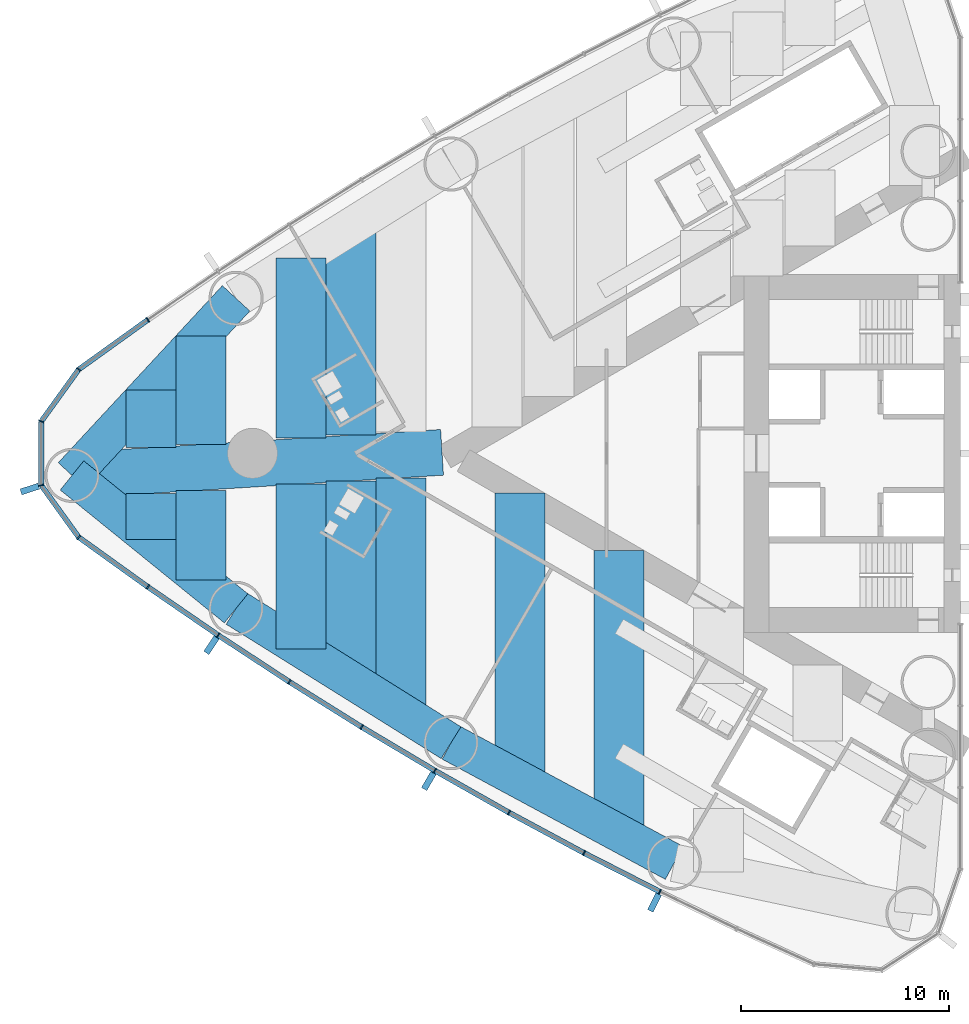
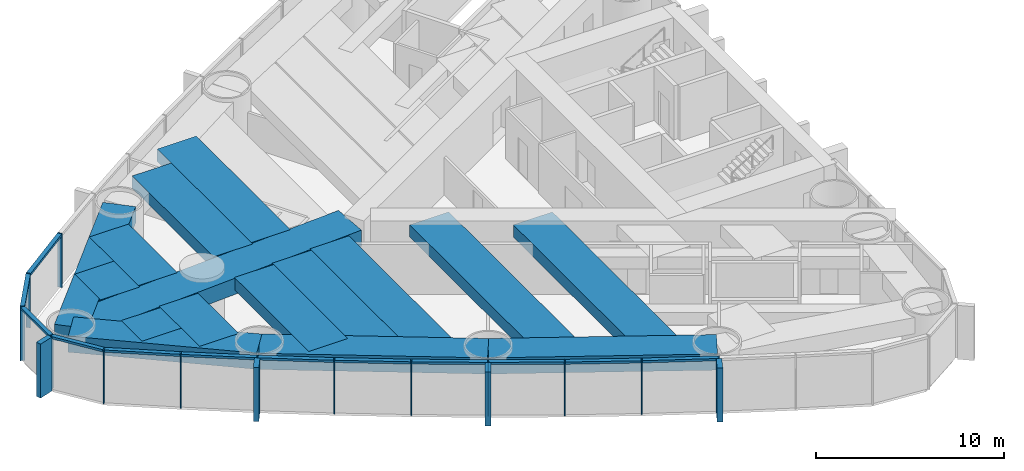
# One storey, part 2 of 18: 29 members, 16 beams, 1 element without a shape of its own.
"""IFC4 building model written with IfcOpenShell, lengths in metres."""

from ifc_helpers import new_model, si_unit, direction, frame, origin, origin_2d, place, context, subcontext, project, spatial, rectangle, extrude, material, material_profile, profile_set, type_object, element, aggregate, save


model = new_model("IFC4")

# Units and contexts
model_context = context("Model", 3, precision=1e-05, world=origin(), true_north=direction((0.0, 1.0)))
body_context = subcontext(model_context, "Body", "Model", "MODEL_VIEW")
ifc_project = project(units=[si_unit("LENGTHUNIT", "METRE"), si_unit("AREAUNIT", "SQUARE_METRE"), si_unit("VOLUMEUNIT", "CUBIC_METRE"), si_unit("PLANEANGLEUNIT", "RADIAN"), si_unit("MASSUNIT", "GRAM", prefix="KILO")], contexts=[model_context])

# Site, building, storey
site_placement = place(None, origin())
site = spatial("IfcSite", under=ifc_project, at=site_placement, CompositionType="ELEMENT")
building_placement = place(site_placement, origin())
building = spatial("IfcBuilding", under=site, at=building_placement, Name="Lancet Gate Hotel", CompositionType="ELEMENT")
storey_placement = place(building_placement, frame((0.0, 0.0, 104.60009765625)))
storey = spatial("IfcBuildingStorey", under=building, at=storey_placement, Name="L27", CompositionType="ELEMENT", Elevation=104.60009765625)

# Curtain wall, members
ifc_material_1 = material(Name="Aluminium curtain wall", Category="aluminium")
curtain_wall_type = type_object("IfcCurtainWallType", Name="Tower unitised curtain wall", PredefinedType="USERDEFINED", material=ifc_material_1)
curtain_wall_placement = place(storey_placement, origin())
curtain_wall = element("IfcCurtainWall", 1, at=curtain_wall_placement, inside=storey, type_object=curtain_wall_type, Name="T1 L27 curtain wall 1", ObjectType="UNITISED CURTAIN WALL", PredefinedType="USERDEFINED")
ifc_material_2 = material(Name="Aluminium mullion", Category="aluminium")
ifc_material_profile_1 = material_profile(ifc_material_2, rectangle(XDim=0.06494140625, YDim=0.25, at=origin_2d()), Name="MULLION 65x250")
ifc_profile_set_1 = profile_set([ifc_material_profile_1], Name="Aluminium mullion")
member_type_1 = type_object("IfcMemberType", Name="Aluminium mullion 65x250", PredefinedType="MULLION", material=ifc_profile_set_1)
member_1_placement = place(storey_placement, frame((-66.5234375, 6.41650390625, 0.0), z_axis=(0.0, 0.0, 1.0), x_axis=(-0.818327221681, -0.574752606132, 0.0)))
member_1 = element("IfcMember", 2, at=member_1_placement, type_object=member_type_1, Name="T1 L27 curtain wall 1 mullion 16", PredefinedType="MULLION", context=body_context, shape_type="SweptSolid", body=[
    extrude(rectangle(XDim=0.06494140625, YDim=0.25, at=origin_2d()), origin(), (0.0, 0.0, 1.0), 3.5),
])
member_2_placement = place(storey_placement, frame((-69.84619140625, 4.02880859375, 0.0), z_axis=(0.0, 0.0, 1.0), x_axis=(-0.723846229576, -0.6899613293, 0.0)))
member_2 = element("IfcMember", 3, at=member_2_placement, type_object=member_type_1, Name="T1 L27 curtain wall 1 mullion 17", PredefinedType="MULLION", context=body_context, shape_type="SweptSolid", body=[
    extrude(rectangle(XDim=0.06494140625, YDim=0.25, at=origin_2d()), origin(), (0.0, 0.0, 1.0), 3.5),
])
member_3_placement = place(storey_placement, frame((-71.64306640625, 1.536376953125, 0.0), z_axis=(0.0, 0.0, 1.0), x_axis=(-0.307269196735, -0.95162263568, 0.0)))
member_3 = element("IfcMember", 4, at=member_3_placement, type_object=member_type_1, Name="T1 L27 curtain wall 1 mullion 18", PredefinedType="MULLION", context=body_context, shape_type="SweptSolid", body=[
    extrude(rectangle(XDim=0.06494140625, YDim=0.25, at=origin_2d()), origin(), (0.0, 0.0, 1.0), 3.5),
])
member_4_placement = place(storey_placement, frame((-71.64306640625, -1.536376953125, 0.0), z_axis=(0.0, 0.0, 1.0), x_axis=(0.307269196735, -0.95162263568, 0.0)))
member_4 = element("IfcMember", 5, at=member_4_placement, type_object=member_type_1, Name="T1 L27 curtain wall 1 mullion 19", PredefinedType="MULLION", context=body_context, shape_type="SweptSolid", body=[
    extrude(rectangle(XDim=0.06494140625, YDim=0.25, at=origin_2d()), origin(), (0.0, 0.0, 1.0), 3.5),
])
member_5_placement = place(storey_placement, frame((-69.84619140625, -4.02880859375, 0.0), z_axis=(0.0, 0.0, 1.0), x_axis=(0.723846229576, -0.6899613293, 0.0)))
member_5 = element("IfcMember", 6, at=member_5_placement, type_object=member_type_1, Name="T1 L27 curtain wall 1 mullion 20", PredefinedType="MULLION", context=body_context, shape_type="SweptSolid", body=[
    extrude(rectangle(XDim=0.06494140625, YDim=0.25, at=origin_2d()), origin(), (0.0, 0.0, 1.0), 3.5),
])
member_6_placement = place(storey_placement, frame((-66.5234375, -6.41650390625, 0.0), z_axis=(0.0, 0.0, 1.0), x_axis=(0.818327221681, -0.574752606132, 0.0)))
member_6 = element("IfcMember", 7, at=member_6_placement, type_object=member_type_1, Name="T1 L27 curtain wall 1 mullion 21", PredefinedType="MULLION", context=body_context, shape_type="SweptSolid", body=[
    extrude(rectangle(XDim=0.06494140625, YDim=0.25, at=origin_2d()), origin(), (0.0, 0.0, 1.0), 3.5),
])
member_7_placement = place(storey_placement, frame((-63.14990234375, -8.73193359375, 0.0), z_axis=(0.0, 0.0, 1.0), x_axis=(0.830510096234, -0.557003572747, 0.0)))
member_7 = element("IfcMember", 8, at=member_7_placement, type_object=member_type_1, Name="T1 L27 curtain wall 1 mullion 22", PredefinedType="MULLION", context=body_context, shape_type="SweptSolid", body=[
    extrude(rectangle(XDim=0.06494140625, YDim=0.25, at=origin_2d()), origin(), (0.0, 0.0, 1.0), 3.5),
])
member_8_placement = place(storey_placement, frame((-59.7275390625, -10.974365234375, 0.0), z_axis=(0.0, 0.0, 1.0), x_axis=(0.84230807036, -0.538996395727, 0.0)))
member_8 = element("IfcMember", 9, at=member_8_placement, type_object=member_type_1, Name="T1 L27 curtain wall 1 mullion 23", PredefinedType="MULLION", context=body_context, shape_type="SweptSolid", body=[
    extrude(rectangle(XDim=0.06494140625, YDim=0.25, at=origin_2d()), origin(), (0.0, 0.0, 1.0), 3.5),
])
member_9_placement = place(storey_placement, frame((-56.257568359375, -13.142333984375, 0.0), z_axis=(0.0, 0.0, 1.0), x_axis=(0.853715676299, -0.52073942048, 0.0)))
member_9 = element("IfcMember", 10, at=member_9_placement, type_object=member_type_1, Name="T1 L27 curtain wall 1 mullion 24", PredefinedType="MULLION", context=body_context, shape_type="SweptSolid", body=[
    extrude(rectangle(XDim=0.06494140625, YDim=0.25, at=origin_2d()), origin(), (0.0, 0.0, 1.0), 3.5),
])
member_10_placement = place(storey_placement, frame((-52.74169921875, -15.2353515625, 0.0), z_axis=(0.0, 0.0, 1.0), x_axis=(0.86472762718, -0.502241108226, 0.0)))
member_10 = element("IfcMember", 11, at=member_10_placement, type_object=member_type_1, Name="T1 L27 curtain wall 1 mullion 25", PredefinedType="MULLION", context=body_context, shape_type="SweptSolid", body=[
    extrude(rectangle(XDim=0.06494140625, YDim=0.25, at=origin_2d()), origin(), (0.0, 0.0, 1.0), 3.5),
])
member_11_placement = place(storey_placement, frame((-49.181640625, -17.252197265625, 0.0), z_axis=(0.0, 0.0, 1.0), x_axis=(0.875338819507, -0.48351003202, 0.0)))
member_11 = element("IfcMember", 12, at=member_11_placement, type_object=member_type_1, Name="T1 L27 curtain wall 1 mullion 26", PredefinedType="MULLION", context=body_context, shape_type="SweptSolid", body=[
    extrude(rectangle(XDim=0.06494140625, YDim=0.25, at=origin_2d()), origin(), (0.0, 0.0, 1.0), 3.5),
])
member_12_placement = place(storey_placement, frame((-45.578857421875, -19.19189453125, 0.0), z_axis=(0.0, 0.0, 1.0), x_axis=(0.885544335517, -0.46455487279, 0.0)))
member_12 = element("IfcMember", 13, at=member_12_placement, type_object=member_type_1, Name="T1 L27 curtain wall 1 mullion 27", PredefinedType="MULLION", context=body_context, shape_type="SweptSolid", body=[
    extrude(rectangle(XDim=0.06494140625, YDim=0.25, at=origin_2d()), origin(), (0.0, 0.0, 1.0), 3.5),
])
member_13_placement = place(storey_placement, frame((-41.935302734375, -21.053466796875, 0.0), z_axis=(0.0, 0.0, 1.0), x_axis=(0.895339445458, -0.445384415317, 0.0)))
member_13 = element("IfcMember", 14, at=member_13_placement, type_object=member_type_1, Name="T1 L27 curtain wall 1 mullion 28", PredefinedType="MULLION", context=body_context, shape_type="SweptSolid", body=[
    extrude(rectangle(XDim=0.06494140625, YDim=0.25, at=origin_2d()), origin(), (0.0, 0.0, 1.0), 3.5),
])
ifc_material_3 = material(Name="Aluminium transom", Category="aluminium")
ifc_material_profile_2 = material_profile(ifc_material_3, rectangle(XDim=0.25, YDim=0.14990234375, at=origin_2d()), Name="TRANSOM 250x150")
ifc_profile_set_2 = profile_set([ifc_material_profile_2], Name="Aluminium transom")
member_type_2 = type_object("IfcMemberType", Name="Aluminium transom 250x150", PredefinedType="USERDEFINED", material=ifc_profile_set_2)
member_14_placement = place(storey_placement, frame((-66.5498046875, 6.3974609375, 3.4248046875), z_axis=(-0.812099770796, -0.583518604908, 0.0), x_axis=(0.583518604908, -0.812099770796, 0.0)))
member_14 = element("IfcMember", 15, at=member_14_placement, type_object=member_type_2, Name="T1 L27 curtain wall 1 transom 16", ObjectType="TRANSOM", PredefinedType="USERDEFINED", context=body_context, shape_type="SweptSolid", body=[
    extrude(rectangle(XDim=0.25, YDim=0.14990234375, at=origin_2d()), origin(), (0.0, 0.0, 1.0), 4.026611328125),
])
member_15_placement = place(storey_placement, frame((-69.865234375, 4.00244140625, 3.4248046875), z_axis=(-0.584787911241, -0.81118622946, 0.0), x_axis=(0.81118622946, -0.584787911241, 0.0)))
member_15 = element("IfcMember", 16, at=member_15_placement, type_object=member_type_2, Name="T1 L27 curtain wall 1 transom 17", ObjectType="TRANSOM", PredefinedType="USERDEFINED", context=body_context, shape_type="SweptSolid", body=[
    extrude(rectangle(XDim=0.25, YDim=0.14990234375, at=origin_2d()), origin(), (0.0, 0.0, 1.0), 3.007568359375),
])
member_16_placement = place(storey_placement, frame((-71.64306640625, 1.50390625, 3.4248046875), z_axis=(0.0, -1.0, 0.0), x_axis=(1.0, 0.0, 0.0)))
member_16 = element("IfcMember", 17, at=member_16_placement, type_object=member_type_2, Name="T1 L27 curtain wall 1 transom 18", ObjectType="TRANSOM", PredefinedType="USERDEFINED", context=body_context, shape_type="SweptSolid", body=[
    extrude(rectangle(XDim=0.25, YDim=0.14990234375, at=origin_2d()), origin(), (0.0, 0.0, 1.0), 3.0078125),
])
member_17_placement = place(storey_placement, frame((-71.6240234375, -1.562744140625, 3.4248046875), z_axis=(0.584787911241, -0.81118622946, 0.0), x_axis=(0.81118622946, 0.584787911241, 0.0)))
member_17 = element("IfcMember", 18, at=member_17_placement, type_object=member_type_2, Name="T1 L27 curtain wall 1 transom 19", ObjectType="TRANSOM", PredefinedType="USERDEFINED", context=body_context, shape_type="SweptSolid", body=[
    extrude(rectangle(XDim=0.25, YDim=0.14990234375, at=origin_2d()), origin(), (0.0, 0.0, 1.0), 3.007568359375),
])
member_18_placement = place(storey_placement, frame((-69.81982421875, -4.0478515625, 3.4248046875), z_axis=(0.812099770796, -0.583518604908, 0.0), x_axis=(0.583518604908, 0.812099770796, 0.0)))
member_18 = element("IfcMember", 19, at=member_18_placement, type_object=member_type_2, Name="T1 L27 curtain wall 1 transom 20", ObjectType="TRANSOM", PredefinedType="USERDEFINED", context=body_context, shape_type="SweptSolid", body=[
    extrude(rectangle(XDim=0.25, YDim=0.14990234375, at=origin_2d()), origin(), (0.0, 0.0, 1.0), 4.026611328125),
])
member_19_placement = place(storey_placement, frame((-66.49658203125, -6.434814453125, 3.4248046875), z_axis=(0.824455665247, -0.565926546508, 0.0), x_axis=(0.565926546508, 0.824455665247, 0.0)))
member_19 = element("IfcMember", 20, at=member_19_placement, type_object=member_type_2, Name="T1 L27 curtain wall 1 transom 21", ObjectType="TRANSOM", PredefinedType="USERDEFINED", context=body_context, shape_type="SweptSolid", body=[
    extrude(rectangle(XDim=0.25, YDim=0.14990234375, at=origin_2d()), origin(), (0.0, 0.0, 1.0), 4.026611328125),
])
member_20_placement = place(storey_placement, frame((-63.122802734375, -8.749755859375, 3.4248046875), z_axis=(0.83645442085, -0.548036496815, 0.0), x_axis=(0.548036496815, 0.83645442085, 0.0)))
member_20 = element("IfcMember", 21, at=member_20_placement, type_object=member_type_2, Name="T1 L27 curtain wall 1 transom 22", ObjectType="TRANSOM", PredefinedType="USERDEFINED", context=body_context, shape_type="SweptSolid", body=[
    extrude(rectangle(XDim=0.25, YDim=0.14990234375, at=origin_2d()), origin(), (0.0, 0.0, 1.0), 4.026611328125),
])
member_21_placement = place(storey_placement, frame((-59.699951171875, -10.991455078125, 3.4248046875), z_axis=(0.848049393821, -0.529917187531, 0.0), x_axis=(0.529917187531, 0.848049393821, 0.0)))
member_21 = element("IfcMember", 22, at=member_21_placement, type_object=member_type_2, Name="T1 L27 curtain wall 1 transom 23", ObjectType="TRANSOM", PredefinedType="USERDEFINED", context=body_context, shape_type="SweptSolid", body=[
    extrude(rectangle(XDim=0.25, YDim=0.14990234375, at=origin_2d()), origin(), (0.0, 0.0, 1.0), 4.026611328125),
])
member_22_placement = place(storey_placement, frame((-56.2294921875, -13.1591796875, 3.4248046875), z_axis=(0.859285270342, -0.511496651186, 0.0), x_axis=(0.511496651186, 0.859285270342, 0.0)))
member_22 = element("IfcMember", 23, at=member_22_placement, type_object=member_type_2, Name="T1 L27 curtain wall 1 transom 24", ObjectType="TRANSOM", PredefinedType="USERDEFINED", context=body_context, shape_type="SweptSolid", body=[
    extrude(rectangle(XDim=0.25, YDim=0.14990234375, at=origin_2d()), origin(), (0.0, 0.0, 1.0), 4.026611328125),
])
member_23_placement = place(storey_placement, frame((-52.71337890625, -15.25146484375, 3.4248046875), z_axis=(0.870091531013, -0.492890178091, 0.0), x_axis=(0.492890178091, 0.870091531013, 0.0)))
member_23 = element("IfcMember", 24, at=member_23_placement, type_object=member_type_2, Name="T1 L27 curtain wall 1 transom 25", ObjectType="TRANSOM", PredefinedType="USERDEFINED", context=body_context, shape_type="SweptSolid", body=[
    extrude(rectangle(XDim=0.25, YDim=0.14990234375, at=origin_2d()), origin(), (0.0, 0.0, 1.0), 4.026611328125),
])
member_24_placement = place(storey_placement, frame((-49.153076171875, -17.267578125, 3.4248046875), z_axis=(0.880498353192, -0.474049206335, 0.0), x_axis=(0.474049206335, 0.880498353192, 0.0)))
member_24 = element("IfcMember", 25, at=member_24_placement, type_object=member_type_2, Name="T1 L27 curtain wall 1 transom 26", ObjectType="TRANSOM", PredefinedType="USERDEFINED", context=body_context, shape_type="SweptSolid", body=[
    extrude(rectangle(XDim=0.25, YDim=0.14990234375, at=origin_2d()), origin(), (0.0, 0.0, 1.0), 4.02685546875),
])
member_25_placement = place(storey_placement, frame((-45.550048828125, -19.20654296875, 3.4248046875), z_axis=(0.89047617483, -0.455029869415, 0.0), x_axis=(0.455029869415, 0.89047617483, 0.0)))
member_25 = element("IfcMember", 26, at=member_25_placement, type_object=member_type_2, Name="T1 L27 curtain wall 1 transom 27", ObjectType="TRANSOM", PredefinedType="USERDEFINED", context=body_context, shape_type="SweptSolid", body=[
    extrude(rectangle(XDim=0.25, YDim=0.14990234375, at=origin_2d()), origin(), (0.0, 0.0, 1.0), 4.026611328125),
])

# Beams
ifc_material_4 = material(Name="Concrete C50/60", Category="concrete")
ifc_material_profile_3 = material_profile(ifc_material_4, rectangle(XDim=1.800048828125, YDim=1.050048828125, at=origin_2d()), Name="RC 1800x1050")
ifc_profile_set_3 = profile_set([ifc_material_profile_3], Name="Concrete C50/60")
beam_type_1 = type_object("IfcBeamType", Name="Edge beam RC 1800x1050", PredefinedType="SPANDREL", material=ifc_profile_set_3)
beam_1_placement = place(storey_placement, frame((-62.28662109375, 7.444580078125, 2.724853515625), z_axis=(-0.679718253794, -0.733473309303, 0.0), x_axis=(0.733473309303, -0.679718253794, 0.0)))
element("IfcBeam", 27, at=beam_1_placement, inside=storey, type_object=beam_type_1, Name="T1 edge beam EB1 L27", PredefinedType="SPANDREL", context=body_context, shape_type="SweptSolid", body=[
    extrude(rectangle(XDim=1.800048828125, YDim=1.050048828125, at=origin_2d()), origin(), (0.0, 0.0, 1.0), 11.594970703125),
])
beam_2_placement = place(storey_placement, frame((-70.16796875, -1.06005859375, 2.724853515625), z_axis=(0.777033503891, -0.629459239213, 0.0), x_axis=(0.629459239213, 0.777033503891, 0.0)))
element("IfcBeam", 28, at=beam_2_placement, inside=storey, type_object=beam_type_1, Name="T1 edge beam EB1 L27", PredefinedType="SPANDREL", context=body_context, shape_type="SweptSolid", body=[
    extrude(rectangle(XDim=1.800048828125, YDim=1.050048828125, at=origin_2d()), origin(), (0.0, 0.0, 1.0), 10.142822265625),
])
for number, where, z_axis, x_axis, name in (
    (29, (-62.28662109375, -7.444580078125, 2.724853515625), (0.848062521637, -0.529896177939, 0.0), (0.529896177939, 0.848062521637, 0.0), "T1 edge beam EB1 L27"),
    (30, (-51.963134765625, -13.89501953125, 2.724853515625), (0.880492350889, -0.474060354835, 0.0), (0.474060354835, 0.880492350889, 0.0), "T1 edge beam EB1 L27"),
):
    element("IfcBeam", number, at=place(storey_placement, frame(where, z_axis=z_axis, x_axis=x_axis)), inside=storey, type_object=beam_type_1, Name=name, PredefinedType="SPANDREL", context=body_context, shape_type="SweptSolid", body=[
        extrude(rectangle(XDim=1.800048828125, YDim=1.050048828125, at=origin_2d()), origin(), (0.0, 0.0, 1.0), 12.173095703125),
    ])

# Member
ifc_material_5 = material(Name="Precast concrete C50/60", Category="concrete")
ifc_material_profile_4 = material_profile(ifc_material_5, rectangle(XDim=0.300048828125, YDim=0.89990234375, at=origin_2d()), Name="FIN 300x900")
ifc_profile_set_4 = profile_set([ifc_material_profile_4], Name="Precast concrete C50/60")
member_type_3 = type_object("IfcMemberType", Name="Exposed concrete fin 300x900", PredefinedType="USERDEFINED", material=ifc_profile_set_4)
member_26_placement = place(storey_placement, frame((-72.190185546875, -1.713134765625, 0.0), z_axis=(0.0, 0.0, 1.0), x_axis=(0.307269196735, -0.95162263568, 0.0)))
member_26 = element("IfcMember", 31, at=member_26_placement, type_object=member_type_3, Name="T1 L27 curtain wall 1 fin 19", ObjectType="FIN", PredefinedType="USERDEFINED", context=body_context, shape_type="SweptSolid", body=[
    extrude(rectangle(XDim=0.300048828125, YDim=0.89990234375, at=origin_2d()), origin(), (0.0, 0.0, 1.0), 3.5),
])

member_27_placement = place(storey_placement, frame((-63.47021484375, -9.20947265625, 0.0), z_axis=(0.0, 0.0, 1.0), x_axis=(0.830510096234, -0.557003572747, 0.0)))
member_27 = element("IfcMember", 32, at=member_27_placement, type_object=member_type_3, Name="T1 L27 curtain wall 1 fin 22", ObjectType="FIN", PredefinedType="USERDEFINED", context=body_context, shape_type="SweptSolid", body=[
    extrude(rectangle(XDim=0.300048828125, YDim=0.89990234375, at=origin_2d()), origin(), (0.0, 0.0, 1.0), 3.5),
])

member_28_placement = place(storey_placement, frame((-53.030517578125, -15.732666015625, 0.0), z_axis=(0.0, 0.0, 1.0), x_axis=(0.86472762718, -0.502241108226, 0.0)))
member_28 = element("IfcMember", 33, at=member_28_placement, type_object=member_type_3, Name="T1 L27 curtain wall 1 fin 25", ObjectType="FIN", PredefinedType="USERDEFINED", context=body_context, shape_type="SweptSolid", body=[
    extrude(rectangle(XDim=0.300048828125, YDim=0.89990234375, at=origin_2d()), origin(), (0.0, 0.0, 1.0), 3.5),
])

member_29_placement = place(storey_placement, frame((-42.19140625, -21.568359375, 0.0), z_axis=(0.0, 0.0, 1.0), x_axis=(0.895339445458, -0.445384415317, 0.0)))
member_29 = element("IfcMember", 34, at=member_29_placement, type_object=member_type_3, Name="T1 L27 curtain wall 1 fin 28", ObjectType="FIN", PredefinedType="USERDEFINED", context=body_context, shape_type="SweptSolid", body=[
    extrude(rectangle(XDim=0.300048828125, YDim=0.89990234375, at=origin_2d()), origin(), (0.0, 0.0, 1.0), 3.5),
])

aggregate(curtain_wall, [member_1, member_2, member_3, member_4, member_26, member_5, member_6, member_7, member_27, member_8, member_9, member_10, member_28, member_11, member_12, member_13, member_29, member_14, member_15, member_16, member_17, member_18, member_19, member_20, member_21, member_22, member_23, member_24, member_25])

# Beams
ifc_material_6 = material(Name="Concrete C50/60", Category="concrete")
ifc_material_profile_5 = material_profile(ifc_material_6, rectangle(XDim=2.39990234375, YDim=0.800048828125, at=origin_2d()), Name="RC 2400x800")
ifc_profile_set_5 = profile_set([ifc_material_profile_5], Name="Concrete C50/60")
beam_type_2 = type_object("IfcBeamType", Name="Floor beam RC 2400x800", PredefinedType="BEAM", material=ifc_profile_set_5)
beam_3_placement = place(storey_placement, frame((-43.891357421875, -4.663330078125, 2.849853515625), z_axis=(0.0, -1.0, 0.0), x_axis=(1.0, 0.0, 0.0)))
element("IfcBeam", 35, at=beam_3_placement, inside=storey, type_object=beam_type_2, Name="T1 floor beam F08N L27", PredefinedType="BEAM", context=body_context, shape_type="SweptSolid", body=[
    extrude(rectangle(XDim=2.39990234375, YDim=0.800048828125, at=origin_2d()), origin(), (0.0, 0.0, 1.0), 13.57763671875),
])
beam_4_placement = place(storey_placement, frame((-48.66015625, -1.909912109375, 2.849853515625), z_axis=(0.0, -1.0, 0.0), x_axis=(1.0, 0.0, 0.0)))
element("IfcBeam", 36, at=beam_4_placement, inside=storey, type_object=beam_type_2, Name="T1 floor beam F11N L27", PredefinedType="BEAM", context=body_context, shape_type="SweptSolid", body=[
    extrude(rectangle(XDim=2.39990234375, YDim=0.800048828125, at=origin_2d()), origin(), (0.0, 0.0, 1.0), 13.763427734375),
])
beam_5_placement = place(storey_placement, frame((-54.3681640625, -1.177001953125, 2.849853515625), z_axis=(0.0, -1.0, 0.0), x_axis=(1.0, 0.0, 0.0)))
element("IfcBeam", 37, at=beam_5_placement, inside=storey, type_object=beam_type_2, Name="T1 floor beam F14N L27", PredefinedType="BEAM", context=body_context, shape_type="SweptSolid", body=[
    extrude(rectangle(XDim=2.39990234375, YDim=0.800048828125, at=origin_2d()), origin(), (0.0, 0.0, 1.0), 11.21533203125),
])
beam_6_placement = place(storey_placement, frame((-56.768310546875, 10.892578125, 2.849853515625), z_axis=(0.0, -1.0, 0.0), x_axis=(1.0, 0.0, 0.0)))
element("IfcBeam", 38, at=beam_6_placement, inside=storey, type_object=beam_type_2, Name="T1 floor beam F15S L27", PredefinedType="BEAM", context=body_context, shape_type="SweptSolid", body=[
    extrude(rectangle(XDim=2.39990234375, YDim=0.800048828125, at=origin_2d()), origin(), (0.0, 0.0, 1.0), 10.014892578125),
])
beam_7_placement = place(storey_placement, frame((-56.768310546875, -1.32666015625, 2.849853515625), z_axis=(0.0, -1.0, 0.0), x_axis=(1.0, 0.0, 0.0)))
element("IfcBeam", 39, at=beam_7_placement, inside=storey, type_object=beam_type_2, Name="T1 floor beam F16N L27", PredefinedType="BEAM", context=body_context, shape_type="SweptSolid", body=[
    extrude(rectangle(XDim=2.39990234375, YDim=0.800048828125, at=origin_2d()), origin(), (0.0, 0.0, 1.0), 9.56591796875),
])
beam_8_placement = place(storey_placement, frame((-59.168212890625, 9.39306640625, 2.849853515625), z_axis=(0.0, -1.0, 0.0), x_axis=(1.0, 0.0, 0.0)))
element("IfcBeam", 40, at=beam_8_placement, inside=storey, type_object=beam_type_2, Name="T1 floor beam F17S L27", PredefinedType="BEAM", context=body_context, shape_type="SweptSolid", body=[
    extrude(rectangle(XDim=2.39990234375, YDim=0.800048828125, at=origin_2d()), origin(), (0.0, 0.0, 1.0), 8.6650390625),
])
beam_9_placement = place(storey_placement, frame((-59.168212890625, -1.476318359375, 2.849853515625), z_axis=(0.0, -1.0, 0.0), x_axis=(1.0, 0.0, 0.0)))
element("IfcBeam", 41, at=beam_9_placement, inside=storey, type_object=beam_type_2, Name="T1 floor beam F18N L27", PredefinedType="BEAM", context=body_context, shape_type="SweptSolid", body=[
    extrude(rectangle(XDim=2.39990234375, YDim=0.800048828125, at=origin_2d()), origin(), (0.0, 0.0, 1.0), 7.916748046875),
])
beam_10_placement = place(storey_placement, frame((-63.96826171875, 5.6298828125, 2.849853515625), z_axis=(0.0, -1.0, 0.0), x_axis=(1.0, 0.0, 0.0)))
element("IfcBeam", 42, at=beam_10_placement, inside=storey, type_object=beam_type_2, Name="T1 floor beam F19S L27", PredefinedType="BEAM", context=body_context, shape_type="SweptSolid", body=[
    extrude(rectangle(XDim=2.39990234375, YDim=0.800048828125, at=origin_2d()), origin(), (0.0, 0.0, 1.0), 5.201171875),
])
beam_11_placement = place(storey_placement, frame((-63.96826171875, -1.775634765625, 2.849853515625), z_axis=(0.0, -1.0, 0.0), x_axis=(1.0, 0.0, 0.0)))
element("IfcBeam", 43, at=beam_11_placement, inside=storey, type_object=beam_type_2, Name="T1 floor beam F20N L27", PredefinedType="BEAM", context=body_context, shape_type="SweptSolid", body=[
    extrude(rectangle(XDim=2.39990234375, YDim=0.800048828125, at=origin_2d()), origin(), (0.0, 0.0, 1.0), 4.306640625),
])
beam_12_placement = place(storey_placement, frame((-66.3681640625, 3.040283203125, 2.849853515625), z_axis=(0.0, -1.0, 0.0), x_axis=(1.0, 0.0, 0.0)))
element("IfcBeam", 44, at=beam_12_placement, inside=storey, type_object=beam_type_2, Name="T1 floor beam F21S L27", PredefinedType="BEAM", context=body_context, shape_type="SweptSolid", body=[
    extrude(rectangle(XDim=2.39990234375, YDim=0.800048828125, at=origin_2d()), origin(), (0.0, 0.0, 1.0), 2.76123046875),
])
beam_13_placement = place(storey_placement, frame((-66.3681640625, -1.92529296875, 2.849853515625), z_axis=(0.0, -1.0, 0.0), x_axis=(1.0, 0.0, 0.0)))
element("IfcBeam", 45, at=beam_13_placement, inside=storey, type_object=beam_type_2, Name="T1 floor beam F22N L27", PredefinedType="BEAM", context=body_context, shape_type="SweptSolid", body=[
    extrude(rectangle(XDim=2.39990234375, YDim=0.800048828125, at=origin_2d()), origin(), (0.0, 0.0, 1.0), 2.212890625),
])
ifc_material_7 = material(Name="Concrete C50/60", Category="concrete")
ifc_material_profile_6 = material_profile(ifc_material_7, rectangle(XDim=2.199951171875, YDim=1.050048828125, at=origin_2d()), Name="RC 2200x1050")
ifc_profile_set_6 = profile_set([ifc_material_profile_6], Name="Concrete C50/60")
beam_type_3 = type_object("IfcBeamType", Name="Radial floor beam RC 2200x1050", PredefinedType="BEAM", material=ifc_profile_set_6)
beam_14_placement = place(storey_placement, frame((-70.16796875, -1.06005859375, 2.724853515625), z_axis=(0.998061637313, 0.062233175423, 0.0), x_axis=(-0.062233175423, 0.998061637313, 0.0)))
element("IfcBeam", 46, at=beam_14_placement, inside=storey, type_object=beam_type_3, Name="T1 radial beam CA L27", PredefinedType="BEAM", context=body_context, shape_type="SweptSolid", body=[
    extrude(rectangle(XDim=2.199951171875, YDim=1.050048828125, at=origin_2d()), origin(), (0.0, 0.0, 1.0), 17.806396484375),
])

save(model, "model.ifc")
